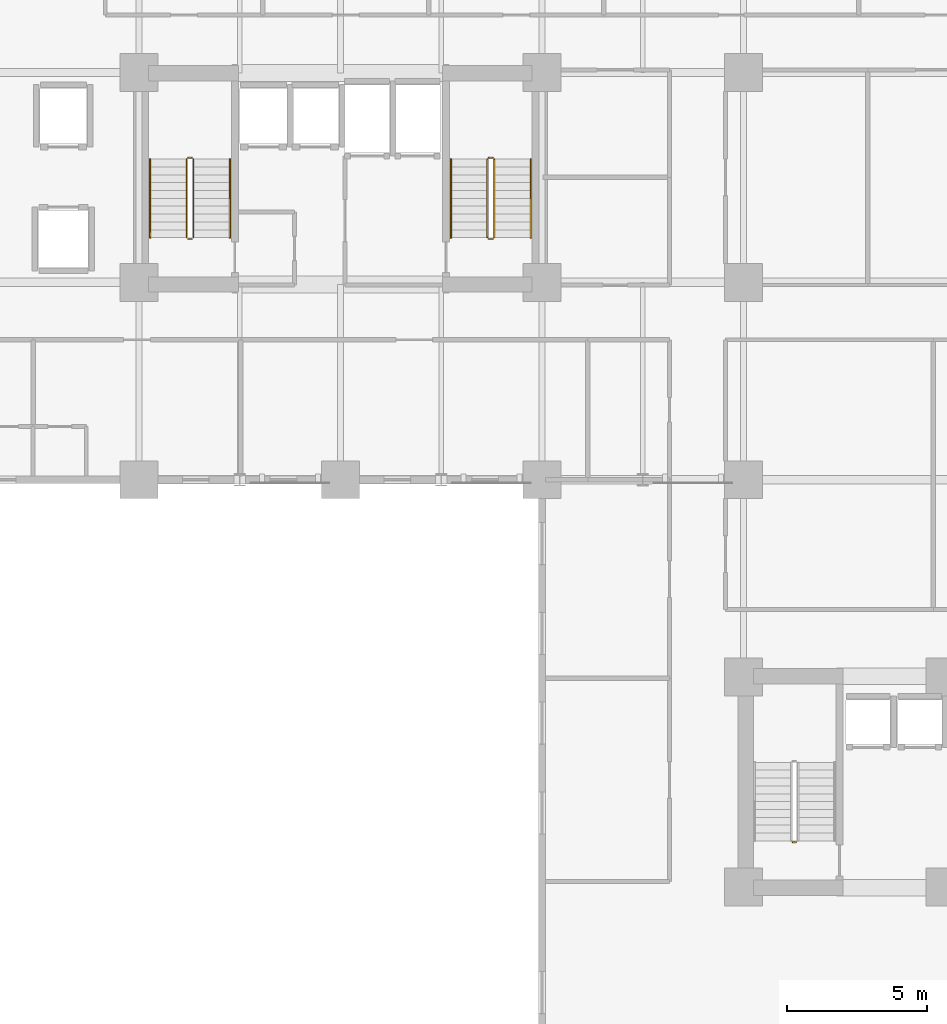
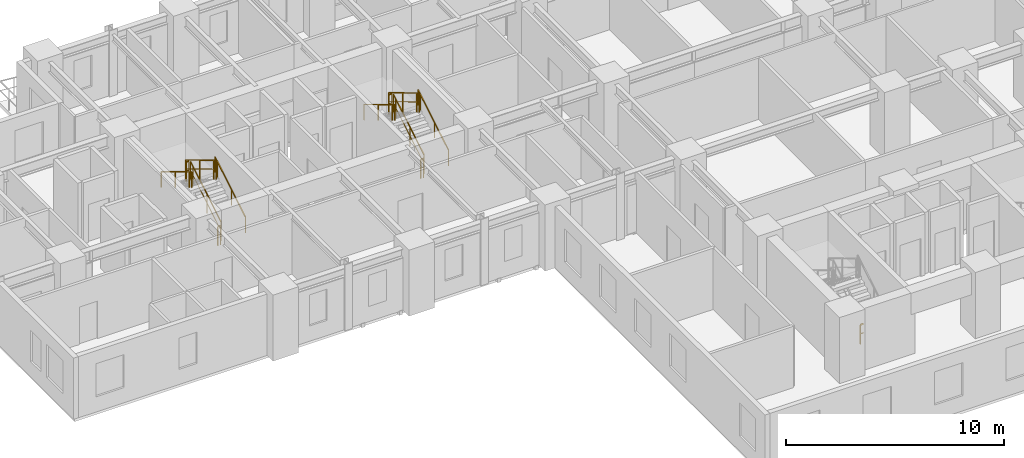
# One storey, part 9 of 11: 13 railings.
"""IFC4 building model written with IfcOpenShell, lengths in metres."""

from ifc_helpers import new_model, si_unit, direction, frame, origin, origin_2d, place, context, subcontext, project, spatial, rectangle, extrude, material, type_object, element, save


model = new_model("IFC4")

# Units and contexts
model_context = context("Model", 3, precision=1e-05, world=origin(), true_north=direction((0.0, 1.0)))
body_context = subcontext(model_context, "Body", "Model", "MODEL_VIEW")
ifc_project = project(units=[si_unit("LENGTHUNIT", "METRE"), si_unit("AREAUNIT", "SQUARE_METRE"), si_unit("VOLUMEUNIT", "CUBIC_METRE"), si_unit("PLANEANGLEUNIT", "RADIAN"), si_unit("MASSUNIT", "GRAM", prefix="KILO")], contexts=[model_context])

# Site, building, storey
site_placement = place(None, origin())
site = spatial("IfcSite", under=ifc_project, at=site_placement, CompositionType="ELEMENT")
building_placement = place(site_placement, origin())
building = spatial("IfcBuilding", under=site, at=building_placement, Name="Kaliganga Portal Commons", CompositionType="ELEMENT")
storey_placement = place(building_placement, frame((0.0, 0.0, 51.199951171875)))
storey = spatial("IfcBuildingStorey", under=building, at=storey_placement, Name="L12", CompositionType="ELEMENT", Elevation=51.199951171875)

# Railings
ifc_material_1 = material(Name="Galvanized Painted Steel Balustrade", Category="steel")
railing_type_1 = type_object("IfcRailingType", Name="RLG-STAIR-GRD", PredefinedType="GUARDRAIL", material=ifc_material_1)
railing_1_placement = place(storey_placement, frame((16.35009765625, 30.25, 0.168212890625)))
element("IfcRailing", 1, at=railing_1_placement, inside=storey, type_object=railing_type_1, Name="L12 ST-A1 stair guard 1", PredefinedType="GUARDRAIL", context=body_context, shape_type="SweptSolid", body=[
    extrude(rectangle(XDim=0.048095703125, YDim=0.048095703125, at=origin_2d()), frame((0.0, 0.0, 1.072021484375), z_axis=(0.0, 0.857242210791, 0.514913383045), x_axis=(-1.0, 0.0, 0.0)), (0.0, 0.0, 1.0), 3.266357421875),
    extrude(rectangle(XDim=0.028076171875, YDim=0.028076171875, at=origin_2d()), frame((0.0, 0.0, 0.572021484375), z_axis=(0.0, 0.857242210791, 0.514913383045), x_axis=(-1.0, 0.0, 0.0)), (0.0, 0.0, 1.0), 3.266357421875),
    extrude(rectangle(XDim=0.0419921875, YDim=0.0419921875, at=origin_2d()), origin(), (0.0, 0.0, 1.0), 1.052001953125),
    extrude(rectangle(XDim=0.0419921875, YDim=0.0419921875, at=origin_2d()), frame((0.0, 1.285888671875, 0.7724609375)), (0.0, 0.0, 1.0), 1.052001953125),
    extrude(rectangle(XDim=0.0419921875, YDim=0.0419921875, at=origin_2d()), frame((0.0, 2.57177734375, 1.544677734375)), (0.0, 0.0, 1.0), 1.052001953125),
    extrude(rectangle(XDim=0.0419921875, YDim=0.0419921875, at=origin_2d()), frame((0.0, 2.800048828125, 1.681884765625)), (0.0, 0.0, 1.0), 1.052001953125),
])
railing_2_placement = place(storey_placement, frame((16.300048828125, 33.10009765625, 1.85009765625)))
element("IfcRailing", 2, at=railing_2_placement, inside=storey, type_object=railing_type_1, Name="L12 ST-A1 stair guard 2", PredefinedType="GUARDRAIL", context=body_context, shape_type="SweptSolid", body=[
    extrude(rectangle(XDim=0.048095703125, YDim=0.048095703125, at=origin_2d()), frame((0.0, 0.0, 1.076171875), z_axis=(-1.0, 0.0, 0.0), x_axis=(0.0, -1.0, 0.0)), (0.0, 0.0, 1.0), 0.150146484375),
    extrude(rectangle(XDim=0.028076171875, YDim=0.028076171875, at=origin_2d()), frame((0.0, 0.0, 0.572021484375), z_axis=(-1.0, 0.0, 0.0), x_axis=(0.0, -1.0, 0.0)), (0.0, 0.0, 1.0), 0.150146484375),
    extrude(rectangle(XDim=0.0419921875, YDim=0.0419921875, at=origin_2d()), origin(), (0.0, 0.0, 1.0), 1.052001953125),
    extrude(rectangle(XDim=0.0419921875, YDim=0.0419921875, at=origin_2d()), frame((-0.150146484375, 0.0, 0.0)), (0.0, 0.0, 1.0), 1.052001953125),
])
railing_3_placement = place(storey_placement, frame((16.10009765625, 33.050048828125, 2.018310546875)))
element("IfcRailing", 3, at=railing_3_placement, inside=storey, type_object=railing_type_1, Name="L12 ST-A1 stair guard 3", PredefinedType="GUARDRAIL", context=body_context, shape_type="SweptSolid", body=[
    extrude(rectangle(XDim=0.048095703125, YDim=0.048095703125, at=origin_2d()), frame((0.0, 0.0, 1.072021484375), z_axis=(0.0, -0.857275202839, 0.514858452973), x_axis=(1.0, 0.0, 0.0)), (0.0, 0.0, 1.0), 3.26611328125),
    extrude(rectangle(XDim=0.028076171875, YDim=0.028076171875, at=origin_2d()), frame((0.0, 0.0, 0.572021484375), z_axis=(0.0, -0.857275202839, 0.514858452973), x_axis=(1.0, 0.0, 0.0)), (0.0, 0.0, 1.0), 3.26611328125),
    extrude(rectangle(XDim=0.0419921875, YDim=0.0419921875, at=origin_2d()), origin(), (0.0, 0.0, 1.0), 1.052001953125),
    extrude(rectangle(XDim=0.0419921875, YDim=0.0419921875, at=origin_2d()), frame((0.0, -1.285888671875, 0.772216796875)), (0.0, 0.0, 1.0), 1.052001953125),
    extrude(rectangle(XDim=0.0419921875, YDim=0.0419921875, at=origin_2d()), frame((0.0, -2.57177734375, 1.544677734375)), (0.0, 0.0, 1.0), 1.052001953125),
    extrude(rectangle(XDim=0.0419921875, YDim=0.0419921875, at=origin_2d()), frame((0.0, -2.800048828125, 1.681640625)), (0.0, 0.0, 1.0), 1.052001953125),
])
railing_4_placement = place(storey_placement, frame((16.300048828125, 30.199951171875, 0.0)))
element("IfcRailing", 4, at=railing_4_placement, inside=storey, type_object=railing_type_1, Name="L12 ST-A1 stair guard 4", PredefinedType="GUARDRAIL", context=body_context, shape_type="SweptSolid", body=[
    extrude(rectangle(XDim=0.048095703125, YDim=0.048095703125, at=origin_2d()), frame((0.0, 0.0, 1.076171875), z_axis=(-1.0, 0.0, 0.0), x_axis=(0.0, -1.0, 0.0)), (0.0, 0.0, 1.0), 0.150146484375),
    extrude(rectangle(XDim=0.028076171875, YDim=0.028076171875, at=origin_2d()), frame((0.0, 0.0, 0.572021484375), z_axis=(-1.0, 0.0, 0.0), x_axis=(0.0, -1.0, 0.0)), (0.0, 0.0, 1.0), 0.150146484375),
    extrude(rectangle(XDim=0.0419921875, YDim=0.0419921875, at=origin_2d()), origin(), (0.0, 0.0, 1.0), 1.052001953125),
    extrude(rectangle(XDim=0.0419921875, YDim=0.0419921875, at=origin_2d()), frame((-0.150146484375, 0.0, 0.0)), (0.0, 0.0, 1.0), 1.052001953125),
])
railing_5_placement = place(storey_placement, frame((27.10009765625, 30.25, 0.168212890625)))
element("IfcRailing", 5, at=railing_5_placement, inside=storey, type_object=railing_type_1, Name="L12 ST-A2 stair guard 1", PredefinedType="GUARDRAIL", context=body_context, shape_type="SweptSolid", body=[
    extrude(rectangle(XDim=0.048095703125, YDim=0.048095703125, at=origin_2d()), frame((0.0, 0.0, 1.072021484375), z_axis=(0.0, 0.857242210791, 0.514913383045), x_axis=(-1.0, 0.0, 0.0)), (0.0, 0.0, 1.0), 3.266357421875),
    extrude(rectangle(XDim=0.028076171875, YDim=0.028076171875, at=origin_2d()), frame((0.0, 0.0, 0.572021484375), z_axis=(0.0, 0.857242210791, 0.514913383045), x_axis=(-1.0, 0.0, 0.0)), (0.0, 0.0, 1.0), 3.266357421875),
    extrude(rectangle(XDim=0.0419921875, YDim=0.0419921875, at=origin_2d()), origin(), (0.0, 0.0, 1.0), 1.052001953125),
    extrude(rectangle(XDim=0.0419921875, YDim=0.0419921875, at=origin_2d()), frame((0.0, 1.285888671875, 0.7724609375)), (0.0, 0.0, 1.0), 1.052001953125),
    extrude(rectangle(XDim=0.0419921875, YDim=0.0419921875, at=origin_2d()), frame((0.0, 2.57177734375, 1.544677734375)), (0.0, 0.0, 1.0), 1.052001953125),
    extrude(rectangle(XDim=0.0419921875, YDim=0.0419921875, at=origin_2d()), frame((0.0, 2.800048828125, 1.681884765625)), (0.0, 0.0, 1.0), 1.052001953125),
])
railing_6_placement = place(storey_placement, frame((27.050048828125, 33.10009765625, 1.85009765625)))
element("IfcRailing", 6, at=railing_6_placement, inside=storey, type_object=railing_type_1, Name="L12 ST-A2 stair guard 2", PredefinedType="GUARDRAIL", context=body_context, shape_type="SweptSolid", body=[
    extrude(rectangle(XDim=0.048095703125, YDim=0.048095703125, at=origin_2d()), frame((0.0, 0.0, 1.076171875), z_axis=(-1.0, 0.0, 0.0), x_axis=(0.0, -1.0, 0.0)), (0.0, 0.0, 1.0), 0.150146484375),
    extrude(rectangle(XDim=0.028076171875, YDim=0.028076171875, at=origin_2d()), frame((0.0, 0.0, 0.572021484375), z_axis=(-1.0, 0.0, 0.0), x_axis=(0.0, -1.0, 0.0)), (0.0, 0.0, 1.0), 0.150146484375),
    extrude(rectangle(XDim=0.0419921875, YDim=0.0419921875, at=origin_2d()), origin(), (0.0, 0.0, 1.0), 1.052001953125),
    extrude(rectangle(XDim=0.0419921875, YDim=0.0419921875, at=origin_2d()), frame((-0.150146484375, 0.0, 0.0)), (0.0, 0.0, 1.0), 1.052001953125),
])
railing_7_placement = place(storey_placement, frame((26.85009765625, 33.050048828125, 2.018310546875)))
element("IfcRailing", 7, at=railing_7_placement, inside=storey, type_object=railing_type_1, Name="L12 ST-A2 stair guard 3", PredefinedType="GUARDRAIL", context=body_context, shape_type="SweptSolid", body=[
    extrude(rectangle(XDim=0.048095703125, YDim=0.048095703125, at=origin_2d()), frame((0.0, 0.0, 1.072021484375), z_axis=(0.0, -0.857275202839, 0.514858452973), x_axis=(1.0, 0.0, 0.0)), (0.0, 0.0, 1.0), 3.26611328125),
    extrude(rectangle(XDim=0.028076171875, YDim=0.028076171875, at=origin_2d()), frame((0.0, 0.0, 0.572021484375), z_axis=(0.0, -0.857275202839, 0.514858452973), x_axis=(1.0, 0.0, 0.0)), (0.0, 0.0, 1.0), 3.26611328125),
    extrude(rectangle(XDim=0.0419921875, YDim=0.0419921875, at=origin_2d()), origin(), (0.0, 0.0, 1.0), 1.052001953125),
    extrude(rectangle(XDim=0.0419921875, YDim=0.0419921875, at=origin_2d()), frame((0.0, -1.285888671875, 0.772216796875)), (0.0, 0.0, 1.0), 1.052001953125),
    extrude(rectangle(XDim=0.0419921875, YDim=0.0419921875, at=origin_2d()), frame((0.0, -2.57177734375, 1.544677734375)), (0.0, 0.0, 1.0), 1.052001953125),
    extrude(rectangle(XDim=0.0419921875, YDim=0.0419921875, at=origin_2d()), frame((0.0, -2.800048828125, 1.681640625)), (0.0, 0.0, 1.0), 1.052001953125),
])
railing_8_placement = place(storey_placement, frame((27.050048828125, 30.199951171875, 0.0)))
element("IfcRailing", 8, at=railing_8_placement, inside=storey, type_object=railing_type_1, Name="L12 ST-A2 stair guard 4", PredefinedType="GUARDRAIL", context=body_context, shape_type="SweptSolid", body=[
    extrude(rectangle(XDim=0.048095703125, YDim=0.048095703125, at=origin_2d()), frame((0.0, 0.0, 1.076171875), z_axis=(-1.0, 0.0, 0.0), x_axis=(0.0, -1.0, 0.0)), (0.0, 0.0, 1.0), 0.150146484375),
    extrude(rectangle(XDim=0.028076171875, YDim=0.028076171875, at=origin_2d()), frame((0.0, 0.0, 0.572021484375), z_axis=(-1.0, 0.0, 0.0), x_axis=(0.0, -1.0, 0.0)), (0.0, 0.0, 1.0), 0.150146484375),
    extrude(rectangle(XDim=0.0419921875, YDim=0.0419921875, at=origin_2d()), origin(), (0.0, 0.0, 1.0), 1.052001953125),
    extrude(rectangle(XDim=0.0419921875, YDim=0.0419921875, at=origin_2d()), frame((-0.150146484375, 0.0, 0.0)), (0.0, 0.0, 1.0), 1.052001953125),
])
railing_9_placement = place(storey_placement, frame((37.89990234375, 8.64990234375, 0.0)))
element("IfcRailing", 9, at=railing_9_placement, inside=storey, type_object=railing_type_1, Name="L12 ST-B1 stair guard 4", PredefinedType="GUARDRAIL", context=body_context, shape_type="SweptSolid", body=[
    extrude(rectangle(XDim=0.048095703125, YDim=0.048095703125, at=origin_2d()), frame((0.0, 0.0, 1.076171875), z_axis=(-1.0, 0.0, 0.0), x_axis=(0.0, -1.0, 0.0)), (0.0, 0.0, 1.0), 0.14990234375),
    extrude(rectangle(XDim=0.028076171875, YDim=0.028076171875, at=origin_2d()), frame((0.0, 0.0, 0.572021484375), z_axis=(-1.0, 0.0, 0.0), x_axis=(0.0, -1.0, 0.0)), (0.0, 0.0, 1.0), 0.14990234375),
    extrude(rectangle(XDim=0.0419921875, YDim=0.0419921875, at=origin_2d()), frame((-0.14990234375, 0.0, 0.0)), (0.0, 0.0, 1.0), 1.052001953125),
])
ifc_material_2 = material(Name="Brushed Stainless Steel 316", Category="steel")
railing_type_2 = type_object("IfcRailingType", Name="RLG-STAIR-HR", PredefinedType="HANDRAIL", material=ifc_material_2)
railing_10_placement = place(storey_placement, frame((17.64990234375, 30.25, 0.168212890625)))
element("IfcRailing", 10, at=railing_10_placement, inside=storey, type_object=railing_type_2, Name="L12 ST-A1 stair handrail 1", PredefinedType="HANDRAIL", context=body_context, shape_type="SweptSolid", body=[
    extrude(rectangle(XDim=0.048095703125, YDim=0.048095703125, at=origin_2d()), frame((0.0, 0.0, 0.871826171875), z_axis=(0.0, 0.857242210791, 0.514913383045), x_axis=(-1.0, 0.0, 0.0)), (0.0, 0.0, 1.0), 3.266357421875),
    extrude(rectangle(XDim=0.0419921875, YDim=0.0419921875, at=origin_2d()), origin(), (0.0, 0.0, 1.0), 0.851806640625),
    extrude(rectangle(XDim=0.0419921875, YDim=0.0419921875, at=origin_2d()), frame((0.0, 1.285888671875, 0.7724609375)), (0.0, 0.0, 1.0), 0.851806640625),
    extrude(rectangle(XDim=0.0419921875, YDim=0.0419921875, at=origin_2d()), frame((0.0, 2.57177734375, 1.544677734375)), (0.0, 0.0, 1.0), 0.851806640625),
    extrude(rectangle(XDim=0.0419921875, YDim=0.0419921875, at=origin_2d()), frame((0.0, 2.800048828125, 1.681884765625)), (0.0, 0.0, 1.0), 0.851806640625),
])
railing_11_placement = place(storey_placement, frame((14.800048828125, 33.050048828125, 2.018310546875)))
element("IfcRailing", 11, at=railing_11_placement, inside=storey, type_object=railing_type_2, Name="L12 ST-A1 stair handrail 2", PredefinedType="HANDRAIL", context=body_context, shape_type="SweptSolid", body=[
    extrude(rectangle(XDim=0.048095703125, YDim=0.048095703125, at=origin_2d()), frame((0.0, 0.0, 0.871826171875), z_axis=(0.0, -0.857275202839, 0.514858452973), x_axis=(1.0, 0.0, 0.0)), (0.0, 0.0, 1.0), 3.26611328125),
    extrude(rectangle(XDim=0.0419921875, YDim=0.0419921875, at=origin_2d()), origin(), (0.0, 0.0, 1.0), 0.851806640625),
    extrude(rectangle(XDim=0.0419921875, YDim=0.0419921875, at=origin_2d()), frame((0.0, -1.285888671875, 0.772216796875)), (0.0, 0.0, 1.0), 0.851806640625),
    extrude(rectangle(XDim=0.0419921875, YDim=0.0419921875, at=origin_2d()), frame((0.0, -2.57177734375, 1.544677734375)), (0.0, 0.0, 1.0), 0.851806640625),
    extrude(rectangle(XDim=0.0419921875, YDim=0.0419921875, at=origin_2d()), frame((0.0, -2.800048828125, 1.681640625)), (0.0, 0.0, 1.0), 0.851806640625),
])
railing_12_placement = place(storey_placement, frame((28.39990234375, 30.25, 0.168212890625)))
element("IfcRailing", 12, at=railing_12_placement, inside=storey, type_object=railing_type_2, Name="L12 ST-A2 stair handrail 1", PredefinedType="HANDRAIL", context=body_context, shape_type="SweptSolid", body=[
    extrude(rectangle(XDim=0.048095703125, YDim=0.048095703125, at=origin_2d()), frame((0.0, 0.0, 0.871826171875), z_axis=(0.0, 0.857242210791, 0.514913383045), x_axis=(-1.0, 0.0, 0.0)), (0.0, 0.0, 1.0), 3.266357421875),
    extrude(rectangle(XDim=0.0419921875, YDim=0.0419921875, at=origin_2d()), origin(), (0.0, 0.0, 1.0), 0.851806640625),
    extrude(rectangle(XDim=0.0419921875, YDim=0.0419921875, at=origin_2d()), frame((0.0, 1.285888671875, 0.7724609375)), (0.0, 0.0, 1.0), 0.851806640625),
    extrude(rectangle(XDim=0.0419921875, YDim=0.0419921875, at=origin_2d()), frame((0.0, 2.57177734375, 1.544677734375)), (0.0, 0.0, 1.0), 0.851806640625),
    extrude(rectangle(XDim=0.0419921875, YDim=0.0419921875, at=origin_2d()), frame((0.0, 2.800048828125, 1.681884765625)), (0.0, 0.0, 1.0), 0.851806640625),
])
railing_13_placement = place(storey_placement, frame((25.550048828125, 33.050048828125, 2.018310546875)))
element("IfcRailing", 13, at=railing_13_placement, inside=storey, type_object=railing_type_2, Name="L12 ST-A2 stair handrail 2", PredefinedType="HANDRAIL", context=body_context, shape_type="SweptSolid", body=[
    extrude(rectangle(XDim=0.048095703125, YDim=0.048095703125, at=origin_2d()), frame((0.0, 0.0, 0.871826171875), z_axis=(0.0, -0.857275202839, 0.514858452973), x_axis=(1.0, 0.0, 0.0)), (0.0, 0.0, 1.0), 3.26611328125),
    extrude(rectangle(XDim=0.0419921875, YDim=0.0419921875, at=origin_2d()), origin(), (0.0, 0.0, 1.0), 0.851806640625),
    extrude(rectangle(XDim=0.0419921875, YDim=0.0419921875, at=origin_2d()), frame((0.0, -1.285888671875, 0.772216796875)), (0.0, 0.0, 1.0), 0.851806640625),
    extrude(rectangle(XDim=0.0419921875, YDim=0.0419921875, at=origin_2d()), frame((0.0, -2.57177734375, 1.544677734375)), (0.0, 0.0, 1.0), 0.851806640625),
    extrude(rectangle(XDim=0.0419921875, YDim=0.0419921875, at=origin_2d()), frame((0.0, -2.800048828125, 1.681640625)), (0.0, 0.0, 1.0), 0.851806640625),
])

save(model, "model.ifc")
